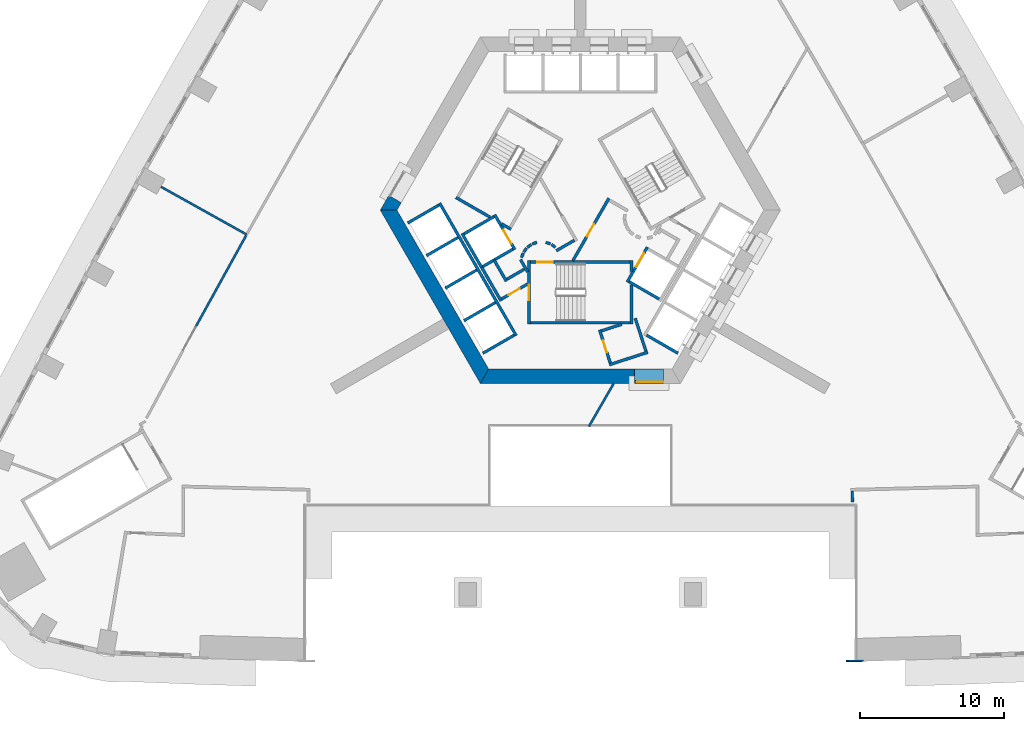
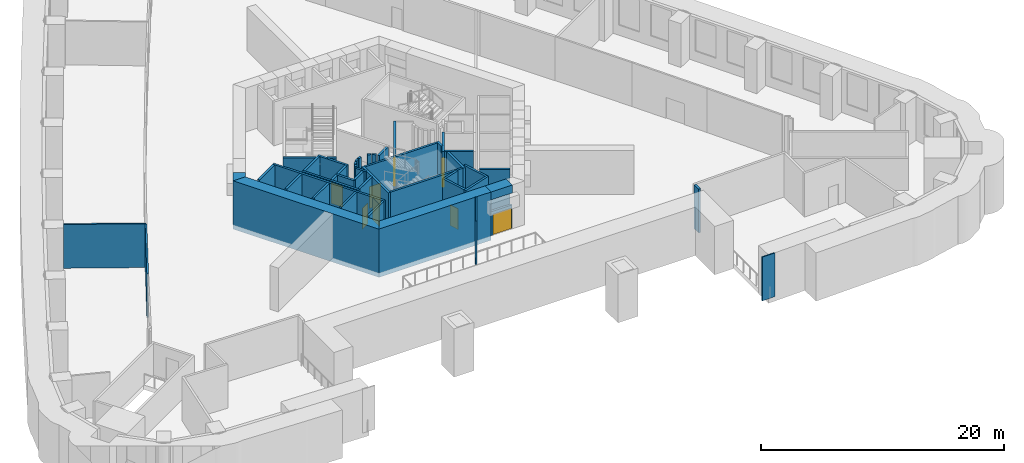
# One storey, part 3 of 15: 47 walls, 8 doors, 8 openings.
"""IFC4 building model written with IfcOpenShell, lengths in metres."""

import ifcopenshell
import ifcopenshell.guid

model = None  # the IFC model being written
_history = None  # IfcOwnerHistory: only IFC2X3 demands one
_inside = {}  # id of a spatial element -> (the spatial element, [elements in it])
_under = {}  # id of a project, library or spatial element -> (it, [spatial elements below it])
_declared = {}  # id of a project -> (the project, [libraries it declares])
_typed = {}  # id of a type object -> (the type object, [elements of that type])
_made_of = {}  # id of a material, layer set ... -> (it, [elements and type objects made of it])


def new_model(schema):
    """Start an empty IFC model of exactly this schema.

    Asked for "IFC4X3", IfcOpenShell would pick the latest addendum, in which some entities
    have other attributes; the version numbers below select the first issue.
    IFC2X3 requires an IfcOwnerHistory on every rooted entity: one is made here for all.
    """
    global model, _history
    if schema == "IFC4X3":
        model = ifcopenshell.file(schema_version=(4, 3, 0, 0))
    else:
        model = ifcopenshell.file(schema=schema)
    _inside.clear()
    _under.clear()
    _declared.clear()
    _typed.clear()
    _made_of.clear()
    _history = None
    if model.schema == "IFC2X3":
        org = make("IfcOrganization", Name="unknown")
        user = make(
            "IfcPersonAndOrganization",
            ThePerson=make("IfcPerson", FamilyName="unknown"),
            TheOrganization=org,
        )
        app = make(
            "IfcApplication",
            ApplicationDeveloper=org,
            Version="unknown",
            ApplicationFullName="unknown",
            ApplicationIdentifier="unknown",
        )
        _history = make(
            "IfcOwnerHistory",
            OwningUser=user,
            OwningApplication=app,
            ChangeAction="ADDED",
            CreationDate=0,
        )
    return model


def make(cls, **values):
    """One entity of the class cls with the attributes given. An attribute that is None is left unset."""
    return model.create_entity(
        cls, **{name: value for name, value in values.items() if value is not None}
    )


def rooted(cls, **values):
    """An entity with a GlobalId (a new one), such as an element, a storey or a relation."""
    return make(cls, GlobalId=ifcopenshell.guid.new(), OwnerHistory=_history, **values)


def si_unit(unit_type, name, prefix=None):
    """IfcSIUnit, for example si_unit("LENGTHUNIT", "METRE", prefix="MILLI")."""
    return make("IfcSIUnit", UnitType=unit_type, Prefix=prefix, Name=name)


def assignment(units):
    """IfcUnitAssignment: the units of a project."""
    return None if units is None else make("IfcUnitAssignment", Units=units)


def point(xyz):
    """IfcCartesianPoint."""
    return None if xyz is None else make("IfcCartesianPoint", Coordinates=xyz)


def direction(xyz):
    """IfcDirection."""
    return None if xyz is None else make("IfcDirection", DirectionRatios=xyz)


def frame(location, z_axis=None, x_axis=None):
    """IfcAxis2Placement3D, a coordinate frame: its origin and axes. An axis left out is left unset."""
    return make(
        "IfcAxis2Placement3D",
        Location=point(location),
        Axis=direction(z_axis),
        RefDirection=direction(x_axis),
    )


def frame_2d(location, x_axis=None):
    """IfcAxis2Placement2D, a coordinate frame in the plane: its origin and x axis."""
    return make(
        "IfcAxis2Placement2D", Location=point(location), RefDirection=direction(x_axis)
    )


def origin():
    """The frame at (0, 0, 0) with its axes left unset."""
    return frame((0.0, 0.0, 0.0))


def place(relative_to, where):
    """IfcLocalPlacement: puts the frame where relative to a parent placement (None: the world)."""
    return make(
        "IfcLocalPlacement", PlacementRelTo=relative_to, RelativePlacement=where
    )


def context(
    kind, dimensions, precision=None, world=None, true_north=None, identifier=None
):
    """IfcGeometricRepresentationContext, for example the 3D "Model" context."""
    return make(
        "IfcGeometricRepresentationContext",
        ContextIdentifier=identifier,
        ContextType=kind,
        CoordinateSpaceDimension=dimensions,
        Precision=precision,
        WorldCoordinateSystem=world,
        TrueNorth=true_north,
    )


def subcontext(parent, identifier, kind, view, scale=None):
    """IfcGeometricRepresentationSubContext, for example "Body" below "Model"."""
    return make(
        "IfcGeometricRepresentationSubContext",
        ContextIdentifier=identifier,
        ContextType=kind,
        ParentContext=parent,
        TargetScale=scale,
        TargetView=view,
    )


def project(units=None, contexts=None):
    """IfcProject with its units and contexts."""
    return rooted(
        "IfcProject",
        Name="project",
        RepresentationContexts=contexts,
        UnitsInContext=assignment(units),
    )


def spatial(cls, under=None, at=None, **own):
    """A site, building, storey or space (cls), placed at a placement, below another one or the project."""
    s = rooted(cls, ObjectPlacement=at, **own)
    if under is not None:
        _under.setdefault(under.id(), (under, []))[1].append(s)
    return s


def polyline(points):
    """IfcPolyline through the points."""
    return make("IfcPolyline", Points=[point(p) for p in points])


def profile(cls, at=None, kind="AREA", **sizes):
    """A parametric profile (cls). Its sizes go by their IFC names, for example OverallWidth=200.0."""
    return make(cls, ProfileType=kind, Position=at, **sizes)


def rectangle(**sizes):
    """IfcRectangleProfileDef."""
    return profile("IfcRectangleProfileDef", **sizes)


def outline(outer, holes=None, kind="AREA"):
    """IfcArbitraryClosedProfileDef: a profile drawn as a closed curve; with holes, ...WithVoids."""
    if holes is None:
        return make("IfcArbitraryClosedProfileDef", ProfileType=kind, OuterCurve=outer)
    return make(
        "IfcArbitraryProfileDefWithVoids",
        ProfileType=kind,
        OuterCurve=outer,
        InnerCurves=holes,
    )


def extrude(swept, where, along, depth):
    """IfcExtrudedAreaSolid: the profile swept, set in the frame where, extruded along a direction by depth."""
    return make(
        "IfcExtrudedAreaSolid",
        SweptArea=swept,
        Position=where,
        ExtrudedDirection=direction(along),
        Depth=depth,
    )


def shape(context_of_items, identifier, shape_type, items):
    """IfcShapeRepresentation: the items that make up one representation, for example the "Body"."""
    return make(
        "IfcShapeRepresentation",
        ContextOfItems=context_of_items,
        RepresentationIdentifier=identifier,
        RepresentationType=shape_type,
        Items=items,
    )


def material(Name=None, Category=None):
    """IfcMaterial."""
    return make("IfcMaterial", Name=Name, Category=Category)


def layer(
    of_material, thickness, ventilated=None, Name=None, Category=None, Priority=None
):
    """IfcMaterialLayer: one layer of a wall or slab, of a material (None: an air gap)."""
    return make(
        "IfcMaterialLayer",
        Material=of_material,
        LayerThickness=thickness,
        IsVentilated=ventilated,
        Name=Name,
        Category=Category,
        Priority=Priority,
    )


def layer_set(layers, Name=None):
    """IfcMaterialLayerSet."""
    return make("IfcMaterialLayerSet", MaterialLayers=layers, LayerSetName=Name)


def made_of(thing, what):
    """Note that an element or type object is made of a material, layer set ...; save() writes the relation."""
    if what is not None:
        _made_of.setdefault(what.id(), (what, []))[1].append(thing)
    return thing


def type_object(cls, material=None, **own):
    """A type object (cls), such as IfcWallType, which elements share."""
    return made_of(rooted(cls, **own), material)


def element(
    cls,
    number,
    at=None,
    inside=None,
    cuts=None,
    type_object=None,
    material=None,
    context=None,
    identifier="Body",
    shape_type=None,
    held_by="IfcProductDefinitionShape",
    body=None,
    shapes=None,
    **own,
):
    """One element of the class cls, such as IfcWall. Its Tag is "e" and its number.

    at: its placement. inside: the storey or other place that contains it. cuts: it is an
    opening in that element (IfcRelVoidsElement). A single representation is given by context,
    identifier, shape_type and body (its items); several are given by shapes. held_by: the class
    of the entity that holds the representations. save() writes the other relations.
    """
    e = rooted(cls, Tag="e%d" % number, ObjectPlacement=at, **own)
    if body is not None:
        shapes = [shape(context, identifier, shape_type, body)]
    if shapes is not None:
        e.Representation = make(held_by, Representations=shapes)
    if inside is not None:
        _inside.setdefault(inside.id(), (inside, []))[1].append(e)
    if cuts is not None:
        rooted(
            "IfcRelVoidsElement", RelatingBuildingElement=cuts, RelatedOpeningElement=e
        )
    if type_object is not None:
        _typed.setdefault(type_object.id(), (type_object, []))[1].append(e)
    return made_of(e, material)


def fill(opening, filler):
    """IfcRelFillsElement: the door or window that sits in an opening."""
    return rooted(
        "IfcRelFillsElement",
        RelatingOpeningElement=opening,
        RelatedBuildingElement=filler,
    )


def aggregate(whole, parts):
    """IfcRelAggregates: a whole, such as a stair, and the parts it consists of."""
    return rooted("IfcRelAggregates", RelatingObject=whole, RelatedObjects=parts)


def save(model, path):
    """Write the relations noted so far, then the file.

    IfcRelAggregates (storeys below a building ...), IfcRelContainedInSpatialStructure (elements
    in a storey), IfcRelDefinesByType, IfcRelAssociatesMaterial and IfcRelDeclares: one each for
    every whole, place, type object, material and project.
    """
    for whole, parts in _under.values():
        aggregate(whole, parts)
    for where, things in _inside.values():
        rooted(
            "IfcRelContainedInSpatialStructure",
            RelatedElements=things,
            RelatingStructure=where,
        )
    for kind, things in _typed.values():
        rooted("IfcRelDefinesByType", RelatedObjects=things, RelatingType=kind)
    for what, things in _made_of.values():
        rooted("IfcRelAssociatesMaterial", RelatedObjects=things, RelatingMaterial=what)
    for by, libraries in _declared.values():
        rooted("IfcRelDeclares", RelatingContext=by, RelatedDefinitions=libraries)
    model.write(path)


model = new_model("IFC4")

# Units and contexts
model_context = context("Model", 3, precision=1e-05, world=origin(), true_north=direction((0.0, 1.0)))
body_context = subcontext(model_context, "Body", "Model", "MODEL_VIEW")
ifc_project = project(units=[si_unit("LENGTHUNIT", "METRE"), si_unit("AREAUNIT", "SQUARE_METRE"), si_unit("VOLUMEUNIT", "CUBIC_METRE"), si_unit("PLANEANGLEUNIT", "RADIAN"), si_unit("MASSUNIT", "GRAM", prefix="KILO")], contexts=[model_context])

# Site, building, storey
site_placement = place(None, origin())
site = spatial("IfcSite", under=ifc_project, at=site_placement, CompositionType="ELEMENT")
building_placement = place(site_placement, origin())
building = spatial("IfcBuilding", under=site, at=building_placement, Name="Entoto Arch Interchange Tower", CompositionType="ELEMENT")
storey_placement = place(building_placement, frame((0.0, 0.0, 30.0)))
storey = spatial("IfcBuildingStorey", under=building, at=storey_placement, Name="L05", CompositionType="ELEMENT", Elevation=30.0)

# Wall, opening, door
ifc_material_1 = material(Name="Reinforced concrete C40/50", Category="concrete")
ifc_layer_1 = layer(ifc_material_1, 0.199951171875)
ifc_layer_set_1 = layer_set([ifc_layer_1], Name="Reinforced concrete C40/50")
wall_type_1 = type_object("IfcWallType", Name="CORE GAP INFILL WALL", PredefinedType="PARTITIONING", material=ifc_layer_set_1)
wall_1_placement = place(storey_placement, frame((3.75, -9.39990234375, 0.0), z_axis=(0.0, 0.0, 1.0), x_axis=(1.0, 0.0, 0.0)))
wall_1 = element("IfcWall", 1, at=wall_1_placement, inside=storey, type_object=wall_type_1, Name="wall:L05:gap1", PredefinedType="PARTITIONING", context=body_context, shape_type="SweptSolid", body=[
    extrude(rectangle(XDim=2.0, YDim=0.199951171875, at=frame_2d((1.0, 0.0))), origin(), (0.0, 0.0, 1.0), 2.39990234375),
])
opening_1_placement = place(wall_1_placement, frame((0.18994140625, 0.0, 0.0)))
opening_1 = element("IfcOpeningElement", 2, at=opening_1_placement, cuts=wall_1, Name="Opening L05-D91", PredefinedType="OPENING", context=body_context, shape_type="SweptSolid", body=[
    extrude(rectangle(XDim=1.800048828125, YDim=2.10009765625, at=frame_2d((0.89990234375, 1.050048828125))), frame((0.0, 0.10986328125, 0.0), z_axis=(0.0, -1.0, 0.0), x_axis=(1.0, 0.0, 0.0)), (0.0, 0.0, 1.0), 0.219970703125),
])
ifc_material_2 = material(Name="Fire-rated Steel S235 door and frame", Category="steel")
door_type_1 = type_object("IfcDoorType", Name="DOOR FD-18 1800x2100", OperationType="DOUBLE_DOOR_SINGLE_SWING", PredefinedType="DOOR", material=ifc_material_2)
door_1_placement = place(opening_1_placement, origin())
door_1 = element("IfcDoor", 3, at=door_1_placement, inside=storey, type_object=door_type_1, Name="door:L05:gap1", OperationType="DOUBLE_DOOR_SINGLE_SWING", OverallHeight=2.10009765625, OverallWidth=1.800048828125, PredefinedType="DOOR", context=body_context, shape_type="SweptSolid", body=[
    extrude(rectangle(XDim=1.800048828125, YDim=2.10009765625, at=frame_2d((0.89990234375, 1.050048828125))), frame((0.0, 0.02490234375, 0.0), z_axis=(0.0, -1.0, 0.0), x_axis=(1.0, 0.0, 0.0)), (0.0, 0.0, 1.0), 0.050048828125),
])
fill(opening_1, door_1)

# Walls
ifc_material_3 = material(Name="Concrete C60/75", Category="concrete")
ifc_layer_2 = layer(ifc_material_3, 1.0)
ifc_layer_set_2 = layer_set([ifc_layer_2], Name="Concrete C60/75")
wall_type_2 = type_object("IfcWallType", Name="Core wall 1000 C60/75", PredefinedType="SHEAR", material=ifc_layer_set_2)
wall_2_placement = place(storey_placement, frame((0.0, 0.0, -0.449951171875)))
element("IfcWall", 4, at=wall_2_placement, inside=storey, type_object=wall_type_2, Name="Core wall NW L05", PredefinedType="SHEAR", context=body_context, shape_type="SweptSolid", body=[
    extrude(outline(polyline([(-12.402099609375, 3.02001953125), (-13.26708984375, 3.52001953125), (-13.85595703125, 2.5), (-12.701904296875, 2.5), (-12.402099609375, 3.02001953125)])), origin(), (0.0, 0.0, 1.0), 4.849853515625),
])
wall_3_placement = place(storey_placement, frame((0.0, 0.0, -0.449951171875)))
element("IfcWall", 5, at=wall_3_placement, inside=storey, type_object=wall_type_2, Name="Core wall SW L05", PredefinedType="SHEAR", context=body_context, shape_type="SweptSolid", body=[
    extrude(outline(polyline([(-13.85595703125, 2.5), (-6.927978515625, -9.5), (-6.35107421875, -8.5), (-12.701904296875, 2.5), (-13.85595703125, 2.5)])), origin(), (0.0, 0.0, 1.0), 4.849853515625),
])
wall_4_placement = place(storey_placement, frame((0.0, 0.0, -0.449951171875)))
element("IfcWall", 6, at=wall_4_placement, inside=storey, type_object=wall_type_2, Name="Core wall S L05", PredefinedType="SHEAR", context=body_context, shape_type="SweptSolid", body=[
    extrude(outline(polyline([(3.75, -9.5), (3.75, -8.5), (-6.35107421875, -8.5), (-6.927978515625, -9.5), (3.75, -9.5)])), origin(), (0.0, 0.0, 1.0), 4.849853515625),
])
wall_5_placement = place(storey_placement, frame((0.0, 0.0, 3.60009765625)))
element("IfcWall", 7, at=wall_5_placement, inside=storey, type_object=wall_type_2, Name="Core wall lintel S L05", PredefinedType="SHEAR", context=body_context, shape_type="SweptSolid", body=[
    extrude(outline(polyline([(5.75, -9.5), (5.75, -8.5), (3.75, -8.5), (3.75, -9.5), (5.75, -9.5)])), origin(), (0.0, 0.0, 1.0), 0.7998046875),
])

# Wall, opening, door
ifc_material_4 = material(Name="Concrete C40/50", Category="concrete")
ifc_layer_3 = layer(ifc_material_4, 0.199951171875)
ifc_layer_set_3 = layer_set([ifc_layer_3], Name="Concrete C40/50")
wall_type_3 = type_object("IfcWallType", Name="LIFT SHAFT WALL 200", PredefinedType="STANDARD", material=ifc_layer_set_3)
wall_6_placement = place(storey_placement, frame((-5.93994140625, 2.18798828125, 0.0), z_axis=(0.0, 0.0, 1.0), x_axis=(0.49994636267, -0.866056369097, 0.0)))
wall_6 = element("IfcWall", 8, at=wall_6_placement, inside=storey, type_object=wall_type_3, Name="Shaft wall SW1 front", PredefinedType="STANDARD", context=body_context, shape_type="SweptSolid", body=[
    extrude(rectangle(XDim=2.800048828125, YDim=0.199951171875, at=frame_2d((1.39990234375, 0.0))), origin(), (0.0, 0.0, 1.0), 4.39990234375),
])
opening_2_placement = place(wall_6_placement, frame((1.22509765625, 0.0, 0.0)))
opening_2 = element("IfcOpeningElement", 9, at=opening_2_placement, cuts=wall_6, Name="Opening LD-FF2-L05", PredefinedType="OPENING", context=body_context, shape_type="SweptSolid", body=[
    extrude(rectangle(XDim=1.10009765625, YDim=2.10009765625, at=frame_2d((0.550048828125, 1.050048828125))), frame((0.0, 0.10986328125, 0.0), z_axis=(0.0, -1.0, 0.0), x_axis=(1.0, 0.0, 0.0)), (0.0, 0.0, 1.0), 0.219970703125),
])
ifc_material_5 = material(Name="Stainless steel 1.4301 panels", Category="steel")
door_type_2 = type_object("IfcDoorType", Name="LIFT LANDING DOOR LD1 1100x2100", OperationType="SLIDING_TO_LEFT", PredefinedType="DOOR", material=ifc_material_5)
door_2_placement = place(opening_2_placement, origin())
door_2 = element("IfcDoor", 10, at=door_2_placement, inside=storey, type_object=door_type_2, Name="Lift landing door FF2 L05", OperationType="SLIDING_TO_LEFT", OverallHeight=2.10009765625, OverallWidth=1.10009765625, PredefinedType="DOOR", context=body_context, shape_type="SweptSolid", body=[
    extrude(rectangle(XDim=1.10009765625, YDim=2.10009765625, at=frame_2d((0.550048828125, 1.050048828125))), frame((0.0, 0.02490234375, 0.0), z_axis=(0.0, -1.0, 0.0), x_axis=(1.0, 0.0, 0.0)), (0.0, 0.0, 1.0), 0.050048828125),
])
fill(opening_2, door_2)

# Walls
wall_7_placement = place(storey_placement, frame((-8.19189453125, 0.887939453125, 0.0), z_axis=(0.0, 0.0, 1.0), x_axis=(0.49994636267, -0.866056369097, 0.0)))
element("IfcWall", 11, at=wall_7_placement, inside=storey, type_object=wall_type_3, Name="Shaft wall SW1 back", PredefinedType="STANDARD", context=body_context, shape_type="SweptSolid", body=[
    extrude(rectangle(XDim=2.800048828125, YDim=0.199951171875, at=frame_2d((1.39990234375, 0.0))), origin(), (0.0, 0.0, 1.0), 4.39990234375),
])
for number, where, z_axis, x_axis, name in (
    (12, (-5.97705078125, 2.052001953125, 0.0), (0.0, 0.0, 1.0), (-0.865973769406, -0.500089422704, 0.0), "Shaft wall SW1 cross 1"),
    (13, (-4.677001953125, -0.199951171875, 0.0), (0.0, 0.0, 1.0), (-0.865973769406, -0.500089422704, 0.0), "Shaft wall SW1 cross 2"),
):
    element("IfcWall", number, at=place(storey_placement, frame(where, z_axis=z_axis, x_axis=x_axis)), inside=storey, type_object=wall_type_3, Name=name, PredefinedType="STANDARD", context=body_context, shape_type="SweptSolid", body=[
        extrude(rectangle(XDim=2.3994140625, YDim=0.199951171875, at=frame_2d((1.19970703125, 0.0))), origin(), (0.0, 0.0, 1.0), 4.39990234375),
    ])
wall_8_placement = place(storey_placement, frame((-9.7509765625, 2.989990234375, 0.0), z_axis=(0.0, 0.0, 1.0), x_axis=(0.50000090737, -0.866024879913, 0.0)))
element("IfcWall", 14, at=wall_8_placement, inside=storey, type_object=wall_type_3, Name="Shaft wall SW3 front", PredefinedType="STANDARD", context=body_context, shape_type="SweptSolid", body=[
    extrude(rectangle(XDim=10.60009765625, YDim=0.199951171875, at=frame_2d((5.300048828125, 0.0))), origin(), (0.0, 0.0, 1.0), 4.39990234375),
])
wall_9_placement = place(storey_placement, frame((-9.7880859375, 2.85302734375, 0.0), z_axis=(0.0, 0.0, 1.0), x_axis=(-0.865998541277, -0.500046524342, 0.0)))
element("IfcWall", 15, at=wall_9_placement, inside=storey, type_object=wall_type_3, Name="Shaft wall SW3 cross 1", PredefinedType="STANDARD", context=body_context, shape_type="SweptSolid", body=[
    extrude(rectangle(XDim=2.499755859375, YDim=0.199951171875, at=frame_2d((1.25, 0.0))), origin(), (0.0, 0.0, 1.0), 4.39990234375),
])
for number, where, z_axis, x_axis, name in (
    (16, (-8.488037109375, 0.60205078125, 0.0), (0.0, 0.0, 1.0), (-0.866022959057, -0.500004234368, 0.0), "Shaft wall SW3 cross 2"),
    (17, (-7.18798828125, -1.64990234375, 0.0), (0.0, 0.0, 1.0), (-0.866022959057, -0.500004234368, 0.0), "Shaft wall SW3 cross 3"),
    (18, (-5.887939453125, -3.902099609375, 0.0), (0.0, 0.0, 1.0), (-0.866022959057, -0.500004234368, 0.0), "Shaft wall SW3 cross 4"),
    (19, (-4.587890625, -6.153076171875, 0.0), (0.0, 0.0, 1.0), (-0.866022959057, -0.500004234368, 0.0), "Shaft wall SW3 cross 5"),
):
    element("IfcWall", number, at=place(storey_placement, frame(where, z_axis=z_axis, x_axis=x_axis)), inside=storey, type_object=wall_type_3, Name=name, PredefinedType="STANDARD", context=body_context, shape_type="SweptSolid", body=[
        extrude(rectangle(XDim=2.5, YDim=0.199951171875, at=frame_2d((1.25, 0.0))), origin(), (0.0, 0.0, 1.0), 4.39990234375),
    ])

# Wall, opening, door
wall_10_placement = place(storey_placement, frame((3.239990234375, -2.488037109375, 0.0), z_axis=(0.0, 0.0, 1.0), x_axis=(0.49994636267, 0.866056369097, 0.0)))
wall_10 = element("IfcWall", 20, at=wall_10_placement, inside=storey, type_object=wall_type_3, Name="Shaft wall SE1 front", PredefinedType="STANDARD", context=body_context, shape_type="SweptSolid", body=[
    extrude(rectangle(XDim=2.800048828125, YDim=0.199951171875, at=frame_2d((1.39990234375, 0.0))), origin(), (0.0, 0.0, 1.0), 4.39990234375),
])
opening_3_placement = place(wall_10_placement, frame((1.22509765625, 0.0, 0.0)))
opening_3 = element("IfcOpeningElement", 21, at=opening_3_placement, cuts=wall_10, Name="Opening LD-FF1-L05", PredefinedType="OPENING", context=body_context, shape_type="SweptSolid", body=[
    extrude(rectangle(XDim=1.10009765625, YDim=2.10009765625, at=frame_2d((0.550048828125, 1.050048828125))), frame((0.0, 0.10986328125, 0.0), z_axis=(0.0, -1.0, 0.0), x_axis=(1.0, 0.0, 0.0)), (0.0, 0.0, 1.0), 0.219970703125),
])
door_3_placement = place(opening_3_placement, origin())
door_3 = element("IfcDoor", 22, at=door_3_placement, inside=storey, type_object=door_type_2, Name="Lift landing door FF1 L05", OperationType="SLIDING_TO_LEFT", OverallHeight=2.10009765625, OverallWidth=1.10009765625, PredefinedType="DOOR", context=body_context, shape_type="SweptSolid", body=[
    extrude(rectangle(XDim=1.10009765625, YDim=2.10009765625, at=frame_2d((0.550048828125, 1.050048828125))), frame((0.0, 0.02490234375, 0.0), z_axis=(0.0, -1.0, 0.0), x_axis=(1.0, 0.0, 0.0)), (0.0, 0.0, 1.0), 0.050048828125),
])
fill(opening_3, door_3)

# Walls
wall_11_placement = place(storey_placement, frame((3.376953125, -2.451904296875, 0.0), z_axis=(0.0, 0.0, 1.0), x_axis=(0.865955154139, -0.50012165622, 0.0)))
element("IfcWall", 23, at=wall_11_placement, inside=storey, type_object=wall_type_3, Name="Shaft wall SE1 cross 1", PredefinedType="STANDARD", context=body_context, shape_type="SweptSolid", body=[
    extrude(rectangle(XDim=2.39990234375, YDim=0.199951171875, at=frame_2d((1.199951171875, 0.0))), origin(), (0.0, 0.0, 1.0), 4.39990234375),
])
wall_12_placement = place(storey_placement, frame((4.587890625, -6.153076171875, 0.0), z_axis=(0.0, 0.0, 1.0), x_axis=(0.866022959057, -0.500004234368, 0.0)))
element("IfcWall", 24, at=wall_12_placement, inside=storey, type_object=wall_type_3, Name="Shaft wall SE3 cross 1", PredefinedType="STANDARD", context=body_context, shape_type="SweptSolid", body=[
    extrude(rectangle(XDim=2.5, YDim=0.199951171875, at=frame_2d((1.25, 0.0))), origin(), (0.0, 0.0, 1.0), 4.39990234375),
])
ifc_material_6 = material(Name="Gypsum board partition on steel studs", Category="steel")
ifc_layer_4 = layer(ifc_material_6, 0.14990234375)
ifc_layer_set_4 = layer_set([ifc_layer_4], Name="Gypsum board partition on steel studs")
wall_type_4 = type_object("IfcWallType", Name="PARTITION 150", PredefinedType="PARTITIONING", material=ifc_layer_set_4)
wall_13_placement = place(storey_placement, frame((-23.112060546875, 0.81103515625, 0.0), z_axis=(0.0, 0.0, 1.0), x_axis=(-0.873400397497, 0.487002818937, 0.0)))
element("IfcWall", 25, at=wall_13_placement, inside=storey, type_object=wall_type_4, Name="wall:L05:p061", PredefinedType="PARTITIONING", context=body_context, shape_type="SweptSolid", body=[
    extrude(rectangle(XDim=6.7802734375, YDim=0.14990234375, at=frame_2d((3.39013671875, 0.0))), origin(), (0.0, 0.0, 1.0), 4.39990234375),
])
wall_14_placement = place(storey_placement, frame((-23.14794921875, 0.74609375, 0.0), z_axis=(0.0, 0.0, 1.0), x_axis=(-0.483125061868, -0.875551354631, 0.0)))
element("IfcWall", 26, at=wall_14_placement, inside=storey, type_object=wall_type_4, Name="wall:L05:p066", PredefinedType="PARTITIONING", context=body_context, shape_type="SweptSolid", body=[
    extrude(rectangle(XDim=7.168212890625, YDim=0.14990234375, at=frame_2d((3.583984375, 0.0))), origin(), (0.0, 0.0, 1.0), 4.39990234375),
])
wall_15_placement = place(storey_placement, frame((0.589111328125, -12.47998046875, 0.0), z_axis=(0.0, 0.0, 1.0), x_axis=(0.499886250151, 0.866091067331, 0.0)))
element("IfcWall", 27, at=wall_15_placement, inside=storey, type_object=wall_type_4, Name="wall:L05:p071", PredefinedType="PARTITIONING", context=body_context, shape_type="SweptSolid", body=[
    extrude(rectangle(XDim=3.440673828125, YDim=0.14990234375, at=frame_2d((1.72021484375, 0.0))), origin(), (0.0, 0.0, 1.0), 4.39990234375),
])
ifc_layer_5 = layer(ifc_material_6, 0.199951171875)
ifc_layer_set_5 = layer_set([ifc_layer_5], Name="Gypsum board partition on steel studs")
wall_type_5 = type_object("IfcWallType", Name="PARTITION 200", PredefinedType="PARTITIONING", material=ifc_layer_set_5)
wall_16_placement = place(storey_placement, frame((-3.89990234375, -1.59912109375, 0.0), z_axis=(0.0, 0.0, 1.0), x_axis=(-0.865969445389, -0.500096910261, 0.0)))
element("IfcWall", 28, at=wall_16_placement, inside=storey, type_object=wall_type_5, Name="wall:L05:p007", PredefinedType="PARTITIONING", context=body_context, shape_type="SweptSolid", body=[
    extrude(rectangle(XDim=1.373291015625, YDim=0.199951171875, at=frame_2d((0.6865234375, 0.0))), origin(), (0.0, 0.0, 1.0), 4.39990234375),
])
wall_17_placement = place(storey_placement, frame((-5.1259765625, -2.422119140625, 0.0), z_axis=(0.0, 0.0, 1.0), x_axis=(-0.500062241894, 0.865989465428, 0.0)))
element("IfcWall", 29, at=wall_17_placement, inside=storey, type_object=wall_type_5, Name="wall:L05:p008", PredefinedType="PARTITIONING", context=body_context, shape_type="SweptSolid", body=[
    extrude(rectangle(XDim=1.699951171875, YDim=0.199951171875, at=frame_2d((0.85009765625, 0.0))), origin(), (0.0, 0.0, 1.0), 4.39990234375),
])
wall_18_placement = place(storey_placement, frame((-5.491943359375, -3.7880859375, 0.0), z_axis=(0.0, 0.0, 1.0), x_axis=(-0.500008949224, 0.866020236886, 0.0)))
element("IfcWall", 30, at=wall_18_placement, inside=storey, type_object=wall_type_5, Name="wall:L05:p009", PredefinedType="PARTITIONING", context=body_context, shape_type="SweptSolid", body=[
    extrude(rectangle(XDim=2.68017578125, YDim=0.199951171875, at=frame_2d((1.340087890625, 0.0))), origin(), (0.0, 0.0, 1.0), 4.39990234375),
])
wall_19_placement = place(storey_placement, frame((-4.14501953125, -0.919921875, 0.0), z_axis=(0.0, 0.0, 1.0), x_axis=(0.499743786207, -0.866173278362, 0.0)))
element("IfcWall", 31, at=wall_19_placement, inside=storey, type_object=wall_type_5, Name="wall:L05:p010", PredefinedType="PARTITIONING", context=body_context, shape_type="SweptSolid", body=[
    extrude(rectangle(XDim=0.99072265625, YDim=0.199951171875, at=frame_2d((0.495361328125, 0.0))), origin(), (0.0, 0.0, 1.0), 4.39990234375),
])

# Wall, opening, door
wall_20_placement = place(storey_placement, frame((-3.64990234375, -2.610107421875, 0.0), z_axis=(0.0, 0.0, 1.0), x_axis=(-0.866072462134, -0.499918483688, 0.0)))
wall_20 = element("IfcWall", 32, at=wall_20_placement, inside=storey, type_object=wall_type_5, Name="wall:L05:p011", PredefinedType="PARTITIONING", context=body_context, shape_type="SweptSolid", body=[
    extrude(rectangle(XDim=2.084228515625, YDim=0.199951171875, at=frame_2d((1.0419921875, 0.0))), origin(), (0.0, 0.0, 1.0), 4.39990234375),
])
opening_4_placement = place(wall_20_placement, frame((0.64208984375, 0.0, 0.0)))
opening_4 = element("IfcOpeningElement", 33, at=opening_4_placement, cuts=wall_20, Name="Opening L05-D13", PredefinedType="OPENING", context=body_context, shape_type="SweptSolid", body=[
    extrude(rectangle(XDim=0.89990234375, YDim=2.10009765625, at=frame_2d((0.449951171875, 1.050048828125))), frame((0.0, 0.10986328125, 0.0), z_axis=(0.0, -1.0, 0.0), x_axis=(1.0, 0.0, 0.0)), (0.0, 0.0, 1.0), 0.219970703125),
])
ifc_material_7 = material(Name="Timber door leaf in Steel S235 frame", Category="steel")
door_type_3 = type_object("IfcDoorType", Name="DOOR DS-09 900x2100", OperationType="SINGLE_SWING_LEFT", PredefinedType="DOOR", material=ifc_material_7)
door_4_placement = place(opening_4_placement, origin())
door_4 = element("IfcDoor", 34, at=door_4_placement, inside=storey, type_object=door_type_3, Name="door:L05:13", OperationType="SINGLE_SWING_LEFT", OverallHeight=2.10009765625, OverallWidth=0.89990234375, PredefinedType="DOOR", context=body_context, shape_type="SweptSolid", body=[
    extrude(rectangle(XDim=0.89990234375, YDim=2.10009765625, at=frame_2d((0.449951171875, 1.050048828125))), frame((0.0, 0.02490234375, 0.0), z_axis=(0.0, -1.0, 0.0), x_axis=(1.0, 0.0, 0.0)), (0.0, 0.0, 1.0), 0.050048828125),
])
fill(opening_4, door_4)

# Wall
wall_21_placement = place(storey_placement, frame((2.868896484375, -5.39990234375, 0.0), z_axis=(0.0, 0.0, 1.0), x_axis=(-0.950892787506, -0.309520446287, 0.0)))
element("IfcWall", 35, at=wall_21_placement, inside=storey, type_object=wall_type_5, Name="wall:L05:p012", PredefinedType="PARTITIONING", context=body_context, shape_type="SweptSolid", body=[
    extrude(rectangle(XDim=1.48681640625, YDim=0.199951171875, at=frame_2d((0.743408203125, 0.0))), origin(), (0.0, 0.0, 1.0), 4.39990234375),
])

# Wall, opening, door
wall_22_placement = place(storey_placement, frame((1.327880859375, -5.794921875, 0.0), z_axis=(0.0, 0.0, 1.0), x_axis=(0.309171157328, -0.951006411901, 0.0)))
wall_22 = element("IfcWall", 36, at=wall_22_placement, inside=storey, type_object=wall_type_5, Name="wall:L05:p013", PredefinedType="PARTITIONING", context=body_context, shape_type="SweptSolid", body=[
    extrude(rectangle(XDim=2.400634765625, YDim=0.199951171875, at=frame_2d((1.2001953125, 0.0))), origin(), (0.0, 0.0, 1.0), 4.39990234375),
])
opening_5_placement = place(wall_22_placement, frame((0.75, 0.0, 0.0)))
opening_5 = element("IfcOpeningElement", 37, at=opening_5_placement, cuts=wall_22, Name="Opening L05-D14", PredefinedType="OPENING", context=body_context, shape_type="SweptSolid", body=[
    extrude(rectangle(XDim=0.89990234375, YDim=2.10009765625, at=frame_2d((0.449951171875, 1.050048828125))), frame((0.0, 0.10986328125, 0.0), z_axis=(0.0, -1.0, 0.0), x_axis=(1.0, 0.0, 0.0)), (0.0, 0.0, 1.0), 0.219970703125),
])
door_5_placement = place(opening_5_placement, origin())
door_5 = element("IfcDoor", 38, at=door_5_placement, inside=storey, type_object=door_type_3, Name="door:L05:14", OperationType="SINGLE_SWING_LEFT", OverallHeight=2.10009765625, OverallWidth=0.89990234375, PredefinedType="DOOR", context=body_context, shape_type="SweptSolid", body=[
    extrude(rectangle(XDim=0.89990234375, YDim=2.10009765625, at=frame_2d((0.449951171875, 1.050048828125))), frame((0.0, 0.02490234375, 0.0), z_axis=(0.0, -1.0, 0.0), x_axis=(1.0, 0.0, 0.0)), (0.0, 0.0, 1.0), 0.050048828125),
])
fill(opening_5, door_5)

# Walls
wall_23_placement = place(storey_placement, frame((2.006103515625, -8.2041015625, 0.0), z_axis=(0.0, 0.0, 1.0), x_axis=(0.951079555704, 0.308946077369, 0.0)))
element("IfcWall", 39, at=wall_23_placement, inside=storey, type_object=wall_type_5, Name="wall:L05:p014", PredefinedType="PARTITIONING", context=body_context, shape_type="SweptSolid", body=[
    extrude(rectangle(XDim=2.7998046875, YDim=0.199951171875, at=frame_2d((1.39990234375, 0.0))), origin(), (0.0, 0.0, 1.0), 4.39990234375),
])
wall_24_placement = place(storey_placement, frame((4.54296875, -7.27490234375, 0.0), z_axis=(0.0, 0.0, 1.0), x_axis=(-0.309079173229, 0.951036310914, 0.0)))
element("IfcWall", 40, at=wall_24_placement, inside=storey, type_object=wall_type_5, Name="wall:L05:p015", PredefinedType="PARTITIONING", context=body_context, shape_type="SweptSolid", body=[
    extrude(rectangle(XDim=2.400390625, YDim=0.199951171875, at=frame_2d((1.2001953125, 0.0))), origin(), (0.0, 0.0, 1.0), 4.39990234375),
])

# Wall, opening, door
wall_25_placement = place(storey_placement, frame((-0.52001953125, -1.0, 0.0), z_axis=(0.0, 0.0, 1.0), x_axis=(0.50011622646, 0.865958290007, 0.0)))
wall_25 = element("IfcWall", 41, at=wall_25_placement, inside=storey, type_object=wall_type_5, Name="wall:L05:p022", PredefinedType="PARTITIONING", context=body_context, shape_type="SweptSolid", body=[
    extrude(rectangle(XDim=4.990966796875, YDim=0.199951171875, at=frame_2d((2.49560546875, 0.0))), origin(), (0.0, 0.0, 1.0), 4.39990234375),
])
opening_6_placement = place(wall_25_placement, frame((1.945068359375, 0.0, 0.0)))
opening_6 = element("IfcOpeningElement", 42, at=opening_6_placement, cuts=wall_25, Name="Opening L05-D10", PredefinedType="OPENING", context=body_context, shape_type="SweptSolid", body=[
    extrude(rectangle(XDim=1.0, YDim=2.10009765625, at=frame_2d((0.5, 1.050048828125))), frame((0.0, 0.10986328125, 0.0), z_axis=(0.0, -1.0, 0.0), x_axis=(1.0, 0.0, 0.0)), (0.0, 0.0, 1.0), 0.219970703125),
])
door_type_4 = type_object("IfcDoorType", Name="DOOR FD-10 1000x2100", OperationType="SINGLE_SWING_LEFT", PredefinedType="DOOR", material=ifc_material_2)
door_6_placement = place(opening_6_placement, origin())
door_6 = element("IfcDoor", 43, at=door_6_placement, inside=storey, type_object=door_type_4, Name="door:L05:10", OperationType="SINGLE_SWING_LEFT", OverallHeight=2.10009765625, OverallWidth=1.0, PredefinedType="DOOR", context=body_context, shape_type="SweptSolid", body=[
    extrude(rectangle(XDim=1.0, YDim=2.10009765625, at=frame_2d((0.5, 1.050048828125))), frame((0.0, 0.02490234375, 0.0), z_axis=(0.0, -1.0, 0.0), x_axis=(1.0, 0.0, 0.0)), (0.0, 0.0, 1.0), 0.050048828125),
])
fill(opening_6, door_6)

# Walls
wall_26_placement = place(storey_placement, frame((-0.412109375, 0.4140625, 0.0), z_axis=(0.0, 0.0, 1.0), x_axis=(-0.866017369001, -0.500013916395, 0.0)))
element("IfcWall", 44, at=wall_26_placement, inside=storey, type_object=wall_type_5, Name="wall:L05:p024", PredefinedType="PARTITIONING", context=body_context, shape_type="SweptSolid", body=[
    extrude(rectangle(XDim=1.4501953125, YDim=0.199951171875, at=frame_2d((0.72509765625, 0.0))), origin(), (0.0, 0.0, 1.0), 4.39990234375),
])
wall_27_placement = place(storey_placement, frame((-1.73095703125, -0.076904296875, 0.0), z_axis=(0.0, 0.0, 1.0), x_axis=(-0.804311165252, 0.594208338422, 0.0)))
element("IfcWall", 45, at=wall_27_placement, inside=storey, type_object=wall_type_5, Name="wall:L05:p025", PredefinedType="PARTITIONING", context=body_context, shape_type="SweptSolid", body=[
    extrude(rectangle(XDim=0.338134765625, YDim=0.199951171875, at=frame_2d((0.1689453125, 0.0))), origin(), (0.0, 0.0, 1.0), 4.39990234375),
])
wall_28_placement = place(storey_placement, frame((-2.070068359375, 0.159912109375, 0.0), z_axis=(0.0, 0.0, 1.0), x_axis=(-0.942199461132, 0.335052496547, 0.0)))
element("IfcWall", 46, at=wall_28_placement, inside=storey, type_object=wall_type_5, Name="wall:L05:p026", PredefinedType="PARTITIONING", context=body_context, shape_type="SweptSolid", body=[
    extrude(rectangle(XDim=0.33740234375, YDim=0.199951171875, at=frame_2d((0.168701171875, 0.0))), origin(), (0.0, 0.0, 1.0), 4.39990234375),
])
wall_29_placement = place(storey_placement, frame((-3.011962890625, 0.27294921875, 0.0), z_axis=(0.0, 0.0, 1.0), x_axis=(-0.942280615813, -0.334824194261, 0.0)))
element("IfcWall", 47, at=wall_29_placement, inside=storey, type_object=wall_type_5, Name="wall:L05:p027", PredefinedType="PARTITIONING", context=body_context, shape_type="SweptSolid", body=[
    extrude(rectangle(XDim=0.337646484375, YDim=0.199951171875, at=frame_2d((0.1689453125, 0.0))), origin(), (0.0, 0.0, 1.0), 4.39990234375),
])
wall_30_placement = place(storey_placement, frame((-3.39697265625, 0.1240234375, 0.0), z_axis=(0.0, 0.0, 1.0), x_axis=(-0.804311165252, -0.594208338422, 0.0)))
element("IfcWall", 48, at=wall_30_placement, inside=storey, type_object=wall_type_5, Name="wall:L05:p028", PredefinedType="PARTITIONING", context=body_context, shape_type="SweptSolid", body=[
    extrude(rectangle(XDim=0.338134765625, YDim=0.199951171875, at=frame_2d((0.1689453125, 0.0))), origin(), (0.0, 0.0, 1.0), 4.39990234375),
])
wall_31_placement = place(storey_placement, frame((-3.722900390625, -0.131103515625, 0.0), z_axis=(0.0, 0.0, 1.0), x_axis=(-0.594675113454, -0.803966112121, 0.0)))
element("IfcWall", 49, at=wall_31_placement, inside=storey, type_object=wall_type_5, Name="wall:L05:p029", PredefinedType="PARTITIONING", context=body_context, shape_type="SweptSolid", body=[
    extrude(rectangle(XDim=0.33837890625, YDim=0.199951171875, at=frame_2d((0.169189453125, 0.0))), origin(), (0.0, 0.0, 1.0), 4.39990234375),
])
wall_32_placement = place(storey_placement, frame((-3.9599609375, -0.469970703125, 0.0), z_axis=(0.0, 0.0, 1.0), x_axis=(-0.334824194261, -0.942280615813, 0.0)))
element("IfcWall", 50, at=wall_32_placement, inside=storey, type_object=wall_type_5, Name="wall:L05:p030", PredefinedType="PARTITIONING", context=body_context, shape_type="SweptSolid", body=[
    extrude(rectangle(XDim=0.337646484375, YDim=0.199951171875, at=frame_2d((0.1689453125, 0.0))), origin(), (0.0, 0.0, 1.0), 4.39990234375),
])
wall_33_placement = place(storey_placement, frame((18.833984375, -17.699951171875, 0.0), z_axis=(0.0, 0.0, 1.0), x_axis=(-0.014903942317, 0.999888930083, 0.0)))
element("IfcWall", 51, at=wall_33_placement, inside=storey, type_object=wall_type_5, Name="wall:L05:p037", PredefinedType="PARTITIONING", context=body_context, shape_type="SweptSolid", body=[
    extrude(rectangle(XDim=0.737060546875, YDim=0.199951171875, at=frame_2d((0.36865234375, 0.0))), origin(), (0.0, 0.0, 1.0), 4.39990234375),
])

# Wall, opening, door
ifc_layer_6 = layer(ifc_material_4, 0.199951171875)
ifc_layer_set_6 = layer_set([ifc_layer_6], Name="Concrete C40/50")
wall_type_6 = type_object("IfcWallType", Name="STAIR ENCLOSURE WALL 200", PredefinedType="STANDARD", material=ifc_layer_set_6)
wall_34_placement = place(storey_placement, frame((-3.550048828125, -1.0, 0.0), z_axis=(0.0, 0.0, 1.0), x_axis=(0.0, -1.0, 0.0)))
wall_34 = element("IfcWall", 52, at=wall_34_placement, inside=storey, type_object=wall_type_6, Name="Stair wall ST-S near", PredefinedType="STANDARD", context=body_context, shape_type="SweptSolid", body=[
    extrude(rectangle(XDim=4.39990234375, YDim=0.199951171875, at=frame_2d((2.199951171875, 0.0))), origin(), (0.0, 0.0, 1.0), 4.39990234375),
])
opening_7_placement = place(wall_34_placement, frame((1.64990234375, 0.0, 0.0)))
opening_7 = element("IfcOpeningElement", 53, at=opening_7_placement, cuts=wall_34, Name="Opening SD-ST-S-L05-E", PredefinedType="OPENING", context=body_context, shape_type="SweptSolid", body=[
    extrude(rectangle(XDim=1.10009765625, YDim=2.199951171875, at=frame_2d((0.550048828125, 1.10009765625))), frame((0.0, 0.10986328125, 0.0), z_axis=(0.0, -1.0, 0.0), x_axis=(1.0, 0.0, 0.0)), (0.0, 0.0, 1.0), 0.219970703125),
])
ifc_material_8 = material(Name="Steel S235", Category="steel")
door_type_5 = type_object("IfcDoorType", Name="STAIR DOOR SD1 1100x2200", OperationType="SINGLE_SWING_LEFT", PredefinedType="DOOR", material=ifc_material_8)
door_7_placement = place(opening_7_placement, origin())
door_7 = element("IfcDoor", 54, at=door_7_placement, inside=storey, type_object=door_type_5, Name="Stair door ST-S L05 end", OperationType="SINGLE_SWING_LEFT", OverallHeight=2.199951171875, OverallWidth=1.10009765625, PredefinedType="DOOR", context=body_context, shape_type="SweptSolid", body=[
    extrude(rectangle(XDim=1.10009765625, YDim=2.199951171875, at=frame_2d((0.550048828125, 1.10009765625))), frame((0.0, 0.02490234375, 0.0), z_axis=(0.0, -1.0, 0.0), x_axis=(1.0, 0.0, 0.0)), (0.0, 0.0, 1.0), 0.050048828125),
])
fill(opening_7, door_7)

# Walls
wall_35_placement = place(storey_placement, frame((3.550048828125, -2.6669921875, 0.0), z_axis=(0.0, 0.0, 1.0), x_axis=(0.0, -1.0, 0.0)))
element("IfcWall", 55, at=wall_35_placement, inside=storey, type_object=wall_type_6, Name="Stair wall ST-S far", PredefinedType="STANDARD", context=body_context, shape_type="SweptSolid", body=[
    extrude(rectangle(XDim=2.73291015625, YDim=0.199951171875, at=frame_2d((1.366455078125, 0.0))), origin(), (0.0, 0.0, 1.0), 4.39990234375),
])
wall_36_placement = place(storey_placement, frame((3.550048828125, -1.0, 0.0), z_axis=(0.0, 0.0, 1.0), x_axis=(0.0, -1.0, 0.0)))
element("IfcWall", 56, at=wall_36_placement, inside=storey, type_object=wall_type_6, Name="Stair wall ST-S far return", PredefinedType="STANDARD", context=body_context, shape_type="SweptSolid", body=[
    extrude(rectangle(XDim=0.7509765625, YDim=0.199951171875, at=frame_2d((0.37548828125, 0.0))), origin(), (0.0, 0.0, 1.0), 4.39990234375),
])

# Wall, opening, door
wall_37_placement = place(storey_placement, frame((-3.449951171875, -1.10009765625, 0.0), z_axis=(0.0, 0.0, 1.0), x_axis=(1.0, 0.0, 0.0)))
wall_37 = element("IfcWall", 57, at=wall_37_placement, inside=storey, type_object=wall_type_6, Name="Stair wall ST-S hall", PredefinedType="STANDARD", context=body_context, shape_type="SweptSolid", body=[
    extrude(rectangle(XDim=6.89990234375, YDim=0.199951171875, at=frame_2d((3.449951171875, 0.0))), origin(), (0.0, 0.0, 1.0), 4.39990234375),
])
opening_8_placement = place(wall_37_placement, frame((0.449951171875, 0.0, 0.0)))
opening_8 = element("IfcOpeningElement", 58, at=opening_8_placement, cuts=wall_37, Name="Opening SD-ST-S-L05", PredefinedType="OPENING", context=body_context, shape_type="SweptSolid", body=[
    extrude(rectangle(XDim=1.10009765625, YDim=2.199951171875, at=frame_2d((0.550048828125, 1.10009765625))), frame((0.0, 0.10986328125, 0.0), z_axis=(0.0, -1.0, 0.0), x_axis=(1.0, 0.0, 0.0)), (0.0, 0.0, 1.0), 0.219970703125),
])
door_8_placement = place(opening_8_placement, origin())
door_8 = element("IfcDoor", 59, at=door_8_placement, inside=storey, type_object=door_type_5, Name="Stair door ST-S L05", OperationType="SINGLE_SWING_LEFT", OverallHeight=2.199951171875, OverallWidth=1.10009765625, PredefinedType="DOOR", context=body_context, shape_type="SweptSolid", body=[
    extrude(rectangle(XDim=1.10009765625, YDim=2.199951171875, at=frame_2d((0.550048828125, 1.10009765625))), frame((0.0, 0.02490234375, 0.0), z_axis=(0.0, -1.0, 0.0), x_axis=(1.0, 0.0, 0.0)), (0.0, 0.0, 1.0), 0.050048828125),
])
fill(opening_8, door_8)

# Walls
wall_38_placement = place(storey_placement, frame((-3.449951171875, -5.300048828125, 0.0), z_axis=(0.0, 0.0, 1.0), x_axis=(1.0, 0.0, 0.0)))
element("IfcWall", 60, at=wall_38_placement, inside=storey, type_object=wall_type_6, Name="Stair wall ST-S back", PredefinedType="STANDARD", context=body_context, shape_type="SweptSolid", body=[
    extrude(rectangle(XDim=6.89990234375, YDim=0.199951171875, at=frame_2d((3.449951171875, 0.0))), origin(), (0.0, 0.0, 1.0), 4.39990234375),
])
wall_39_placement = place(storey_placement, frame((-6.25, 2.010009765625, 0.0), z_axis=(0.0, 0.0, 1.0), x_axis=(-0.86611865017, 0.499838457731, 0.0)))
element("IfcWall", 61, at=wall_39_placement, inside=storey, type_object=wall_type_6, Name="Stair wall ST-NW far", PredefinedType="STANDARD", context=body_context, shape_type="SweptSolid", body=[
    extrude(rectangle(XDim=2.73291015625, YDim=0.199951171875, at=frame_2d((1.366455078125, 0.0))), origin(), (0.0, 0.0, 1.0), 4.39990234375),
])
wall_40_placement = place(storey_placement, frame((-4.805908203125, 1.176025390625, 0.0), z_axis=(0.0, 0.0, 1.0), x_axis=(-0.866558586415, 0.499075361355, 0.0)))
element("IfcWall", 62, at=wall_40_placement, inside=storey, type_object=wall_type_6, Name="Stair wall ST-NW far return", PredefinedType="STANDARD", context=body_context, shape_type="SweptSolid", body=[
    extrude(rectangle(XDim=0.75146484375, YDim=0.199951171875, at=frame_2d((0.375732421875, 0.0))), origin(), (0.0, 0.0, 1.0), 4.39990234375),
])
ifc_material_9 = material(Name="Welded tuff (ignimbrite) cladding, warm buff", Category="masonry")
ifc_layer_7 = layer(ifc_material_9, 0.10009765625)
ifc_layer_set_7 = layer_set([ifc_layer_7], Name="Welded tuff (ignimbrite) cladding, warm buff")
wall_type_7 = type_object("IfcWallType", Name="STONE PIER CLADDING 100", PredefinedType="STANDARD", material=ifc_layer_set_7)
wall_41_placement = place(storey_placement, frame((18.39892578125, -28.720947265625, 0.0), z_axis=(0.0, 0.0, 1.0), x_axis=(0.999886724523, 0.015051183404, 0.0)))
element("IfcWall", 63, at=wall_41_placement, inside=storey, type_object=wall_type_7, Name="Stone pier S04 L05", PredefinedType="STANDARD", context=body_context, shape_type="SweptSolid", body=[
    extrude(rectangle(XDim=1.200439453125, YDim=0.10009765625, at=frame_2d((0.60009765625, 0.0))), origin(), (0.0, 0.0, 1.0), 4.39990234375),
])

save(model, "model.ifc")
